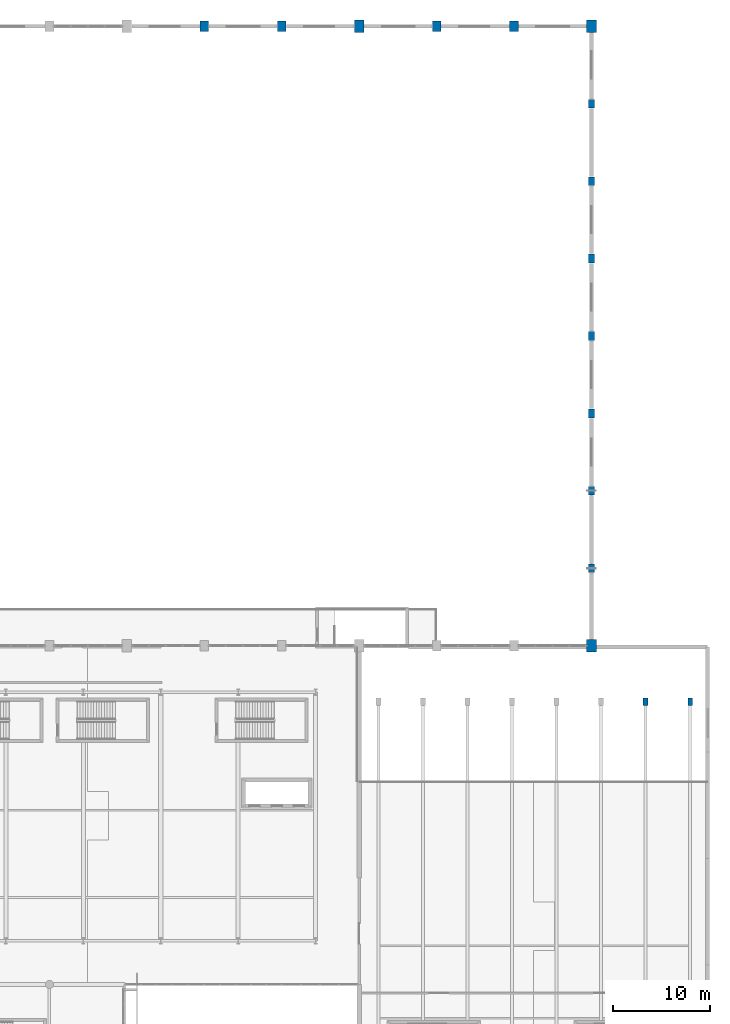
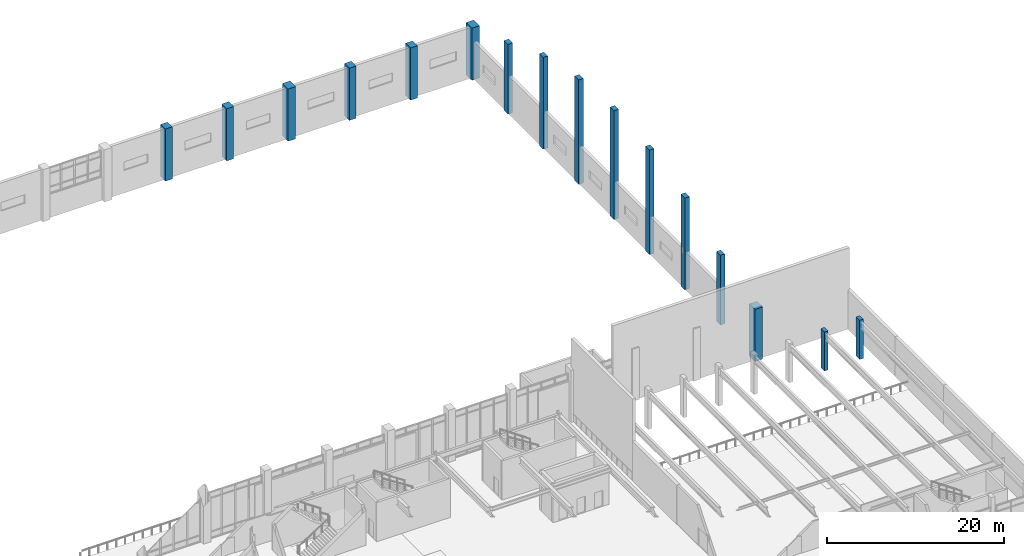
# One storey, part 8 of 84: 16 columns.
"""IFC4 building model written with IfcOpenShell, lengths in metres."""

import ifcopenshell
import ifcopenshell.guid

model = None  # the IFC model being written
_history = None  # IfcOwnerHistory: only IFC2X3 demands one
_inside = {}  # id of a spatial element -> (the spatial element, [elements in it])
_under = {}  # id of a project, library or spatial element -> (it, [spatial elements below it])
_declared = {}  # id of a project -> (the project, [libraries it declares])
_typed = {}  # id of a type object -> (the type object, [elements of that type])
_made_of = {}  # id of a material, layer set ... -> (it, [elements and type objects made of it])


def new_model(schema):
    """Start an empty IFC model of exactly this schema.

    Asked for "IFC4X3", IfcOpenShell would pick the latest addendum, in which some entities
    have other attributes; the version numbers below select the first issue.
    IFC2X3 requires an IfcOwnerHistory on every rooted entity: one is made here for all.
    """
    global model, _history
    if schema == "IFC4X3":
        model = ifcopenshell.file(schema_version=(4, 3, 0, 0))
    else:
        model = ifcopenshell.file(schema=schema)
    _inside.clear()
    _under.clear()
    _declared.clear()
    _typed.clear()
    _made_of.clear()
    _history = None
    if model.schema == "IFC2X3":
        org = make("IfcOrganization", Name="unknown")
        user = make(
            "IfcPersonAndOrganization",
            ThePerson=make("IfcPerson", FamilyName="unknown"),
            TheOrganization=org,
        )
        app = make(
            "IfcApplication",
            ApplicationDeveloper=org,
            Version="unknown",
            ApplicationFullName="unknown",
            ApplicationIdentifier="unknown",
        )
        _history = make(
            "IfcOwnerHistory",
            OwningUser=user,
            OwningApplication=app,
            ChangeAction="ADDED",
            CreationDate=0,
        )
    return model


def make(cls, **values):
    """One entity of the class cls with the attributes given. An attribute that is None is left unset."""
    return model.create_entity(
        cls, **{name: value for name, value in values.items() if value is not None}
    )


def rooted(cls, **values):
    """An entity with a GlobalId (a new one), such as an element, a storey or a relation."""
    return make(cls, GlobalId=ifcopenshell.guid.new(), OwnerHistory=_history, **values)


def si_unit(unit_type, name, prefix=None):
    """IfcSIUnit, for example si_unit("LENGTHUNIT", "METRE", prefix="MILLI")."""
    return make("IfcSIUnit", UnitType=unit_type, Prefix=prefix, Name=name)


def assignment(units):
    """IfcUnitAssignment: the units of a project."""
    return None if units is None else make("IfcUnitAssignment", Units=units)


def point(xyz):
    """IfcCartesianPoint."""
    return None if xyz is None else make("IfcCartesianPoint", Coordinates=xyz)


def direction(xyz):
    """IfcDirection."""
    return None if xyz is None else make("IfcDirection", DirectionRatios=xyz)


def frame(location, z_axis=None, x_axis=None):
    """IfcAxis2Placement3D, a coordinate frame: its origin and axes. An axis left out is left unset."""
    return make(
        "IfcAxis2Placement3D",
        Location=point(location),
        Axis=direction(z_axis),
        RefDirection=direction(x_axis),
    )


def frame_2d(location, x_axis=None):
    """IfcAxis2Placement2D, a coordinate frame in the plane: its origin and x axis."""
    return make(
        "IfcAxis2Placement2D", Location=point(location), RefDirection=direction(x_axis)
    )


def origin():
    """The frame at (0, 0, 0) with its axes left unset."""
    return frame((0.0, 0.0, 0.0))


def origin_2d():
    """The frame at (0, 0) in the plane with its x axis left unset."""
    return frame_2d((0.0, 0.0))


def place(relative_to, where):
    """IfcLocalPlacement: puts the frame where relative to a parent placement (None: the world)."""
    return make(
        "IfcLocalPlacement", PlacementRelTo=relative_to, RelativePlacement=where
    )


def context(
    kind, dimensions, precision=None, world=None, true_north=None, identifier=None
):
    """IfcGeometricRepresentationContext, for example the 3D "Model" context."""
    return make(
        "IfcGeometricRepresentationContext",
        ContextIdentifier=identifier,
        ContextType=kind,
        CoordinateSpaceDimension=dimensions,
        Precision=precision,
        WorldCoordinateSystem=world,
        TrueNorth=true_north,
    )


def subcontext(parent, identifier, kind, view, scale=None):
    """IfcGeometricRepresentationSubContext, for example "Body" below "Model"."""
    return make(
        "IfcGeometricRepresentationSubContext",
        ContextIdentifier=identifier,
        ContextType=kind,
        ParentContext=parent,
        TargetScale=scale,
        TargetView=view,
    )


def project(units=None, contexts=None):
    """IfcProject with its units and contexts."""
    return rooted(
        "IfcProject",
        Name="project",
        RepresentationContexts=contexts,
        UnitsInContext=assignment(units),
    )


def spatial(cls, under=None, at=None, **own):
    """A site, building, storey or space (cls), placed at a placement, below another one or the project."""
    s = rooted(cls, ObjectPlacement=at, **own)
    if under is not None:
        _under.setdefault(under.id(), (under, []))[1].append(s)
    return s


def profile(cls, at=None, kind="AREA", **sizes):
    """A parametric profile (cls). Its sizes go by their IFC names, for example OverallWidth=200.0."""
    return make(cls, ProfileType=kind, Position=at, **sizes)


def rectangle(**sizes):
    """IfcRectangleProfileDef."""
    return profile("IfcRectangleProfileDef", **sizes)


def extrude(swept, where, along, depth):
    """IfcExtrudedAreaSolid: the profile swept, set in the frame where, extruded along a direction by depth."""
    return make(
        "IfcExtrudedAreaSolid",
        SweptArea=swept,
        Position=where,
        ExtrudedDirection=direction(along),
        Depth=depth,
    )


def shape(context_of_items, identifier, shape_type, items):
    """IfcShapeRepresentation: the items that make up one representation, for example the "Body"."""
    return make(
        "IfcShapeRepresentation",
        ContextOfItems=context_of_items,
        RepresentationIdentifier=identifier,
        RepresentationType=shape_type,
        Items=items,
    )


def material(Name=None, Category=None):
    """IfcMaterial."""
    return make("IfcMaterial", Name=Name, Category=Category)


def material_profile(
    of_material, cross_section, Name=None, Category=None, Priority=None
):
    """IfcMaterialProfile: a cross section and its material."""
    return make(
        "IfcMaterialProfile",
        Name=Name,
        Material=of_material,
        Profile=cross_section,
        Priority=Priority,
        Category=Category,
    )


def profile_set(profiles, Name=None, composite=None):
    """IfcMaterialProfileSet."""
    return make(
        "IfcMaterialProfileSet",
        Name=Name,
        MaterialProfiles=profiles,
        CompositeProfile=composite,
    )


def made_of(thing, what):
    """Note that an element or type object is made of a material, layer set ...; save() writes the relation."""
    if what is not None:
        _made_of.setdefault(what.id(), (what, []))[1].append(thing)
    return thing


def type_object(cls, material=None, **own):
    """A type object (cls), such as IfcWallType, which elements share."""
    return made_of(rooted(cls, **own), material)


def element(
    cls,
    number,
    at=None,
    inside=None,
    cuts=None,
    type_object=None,
    material=None,
    context=None,
    identifier="Body",
    shape_type=None,
    held_by="IfcProductDefinitionShape",
    body=None,
    shapes=None,
    **own,
):
    """One element of the class cls, such as IfcWall. Its Tag is "e" and its number.

    at: its placement. inside: the storey or other place that contains it. cuts: it is an
    opening in that element (IfcRelVoidsElement). A single representation is given by context,
    identifier, shape_type and body (its items); several are given by shapes. held_by: the class
    of the entity that holds the representations. save() writes the other relations.
    """
    e = rooted(cls, Tag="e%d" % number, ObjectPlacement=at, **own)
    if body is not None:
        shapes = [shape(context, identifier, shape_type, body)]
    if shapes is not None:
        e.Representation = make(held_by, Representations=shapes)
    if inside is not None:
        _inside.setdefault(inside.id(), (inside, []))[1].append(e)
    if cuts is not None:
        rooted(
            "IfcRelVoidsElement", RelatingBuildingElement=cuts, RelatedOpeningElement=e
        )
    if type_object is not None:
        _typed.setdefault(type_object.id(), (type_object, []))[1].append(e)
    return made_of(e, material)


def aggregate(whole, parts):
    """IfcRelAggregates: a whole, such as a stair, and the parts it consists of."""
    return rooted("IfcRelAggregates", RelatingObject=whole, RelatedObjects=parts)


def save(model, path):
    """Write the relations noted so far, then the file.

    IfcRelAggregates (storeys below a building ...), IfcRelContainedInSpatialStructure (elements
    in a storey), IfcRelDefinesByType, IfcRelAssociatesMaterial and IfcRelDeclares: one each for
    every whole, place, type object, material and project.
    """
    for whole, parts in _under.values():
        aggregate(whole, parts)
    for where, things in _inside.values():
        rooted(
            "IfcRelContainedInSpatialStructure",
            RelatedElements=things,
            RelatingStructure=where,
        )
    for kind, things in _typed.values():
        rooted("IfcRelDefinesByType", RelatedObjects=things, RelatingType=kind)
    for what, things in _made_of.values():
        rooted("IfcRelAssociatesMaterial", RelatedObjects=things, RelatingMaterial=what)
    for by, libraries in _declared.values():
        rooted("IfcRelDeclares", RelatingContext=by, RelatedDefinitions=libraries)
    model.write(path)


model = new_model("IFC4")

# Units and contexts
model_context = context("Model", 3, precision=1e-05, world=origin(), true_north=direction((0.0, 1.0)))
body_context = subcontext(model_context, "Body", "Model", "MODEL_VIEW")
ifc_project = project(units=[si_unit("LENGTHUNIT", "METRE"), si_unit("AREAUNIT", "SQUARE_METRE"), si_unit("VOLUMEUNIT", "CUBIC_METRE"), si_unit("PLANEANGLEUNIT", "RADIAN"), si_unit("MASSUNIT", "GRAM", prefix="KILO")], contexts=[model_context])

# Site, building, storey
site_placement = place(None, origin())
site = spatial("IfcSite", under=ifc_project, at=site_placement, CompositionType="ELEMENT")
building_placement = place(site_placement, origin())
building = spatial("IfcBuilding", under=site, at=building_placement, Name="Tlacozan Convention Centre", CompositionType="ELEMENT")
storey_placement = place(building_placement, frame((0.0, 0.0, 6.0)))
storey = spatial("IfcBuildingStorey", under=building, at=storey_placement, Name="L01", CompositionType="ELEMENT", Elevation=6.0)

# Columns
ifc_material = material(Name="Concrete C40/50", Category="concrete")
ifc_material_profile_1 = material_profile(ifc_material, rectangle(XDim=0.89990234375, YDim=1.10009765625, at=origin_2d()), Name="RC 900x1100")
ifc_profile_set_1 = profile_set([ifc_material_profile_1], Name="Concrete C40/50")
column_type_1 = type_object("IfcColumnType", Name="Column Buttress RC 900x1100", PredefinedType="COLUMN", material=ifc_profile_set_1)
for number, where, z_axis, x_axis, name in (
    (1, (128.0, 126.0, 0.0), (0.0, 0.0, 1.0), (1.0, 0.0, 0.0), "L01 Column 672"),
    (2, (136.0, 126.0, 0.0), (0.0, 0.0, 1.0), (1.0, 0.0, 0.0), "L01 Column 695"),
    (3, (152.0, 126.0, 0.0), (0.0, 0.0, 1.0), (1.0, 0.0, 0.0), "L01 Column 755"),
    (4, (160.0, 126.0, 0.0), (0.0, 0.0, 1.0), (1.0, 0.0, 0.0), "L01 Column 790"),
):
    element("IfcColumn", number, at=place(storey_placement, frame(where, z_axis=z_axis, x_axis=x_axis)), inside=storey, type_object=column_type_1, Name=name, PredefinedType="COLUMN", context=body_context, shape_type="SweptSolid", body=[
        extrude(rectangle(XDim=0.89990234375, YDim=1.10009765625, at=origin_2d()), origin(), (0.0, 0.0, 1.0), 7.199951171875),
    ])
ifc_material_profile_2 = material_profile(ifc_material, rectangle(XDim=1.0, YDim=1.300048828125, at=origin_2d()), Name="RC 1000x1300")
ifc_profile_set_2 = profile_set([ifc_material_profile_2], Name="Concrete C40/50")
column_type_2 = type_object("IfcColumnType", Name="Column Mega Buttress RC 1000x1300", PredefinedType="COLUMN", material=ifc_profile_set_2)
for number, where, z_axis, x_axis, name in (
    (5, (144.0, 126.0, 0.0), (0.0, 0.0, 1.0), (1.0, 0.0, 0.0), "L01 Column 720"),
    (6, (168.0, 62.0, 0.0), (0.0, 0.0, 1.0), (1.0, 0.0, 0.0), "L01 Column 804"),
    (7, (168.0, 126.0, 0.0), (0.0, 0.0, 1.0), (1.0, 0.0, 0.0), "L01 Column 828"),
):
    element("IfcColumn", number, at=place(storey_placement, frame(where, z_axis=z_axis, x_axis=x_axis)), inside=storey, type_object=column_type_2, Name=name, PredefinedType="COLUMN", context=body_context, shape_type="SweptSolid", body=[
        extrude(rectangle(XDim=1.0, YDim=1.300048828125, at=origin_2d()), origin(), (0.0, 0.0, 1.0), 7.199951171875),
    ])
ifc_material_profile_3 = material_profile(ifc_material, rectangle(XDim=0.5, YDim=0.800048828125, at=origin_2d()), Name="RC 500x800")
ifc_profile_set_3 = profile_set([ifc_material_profile_3], Name="Concrete C40/50")
column_type_3 = type_object("IfcColumnType", Name="Pilaster Cantera RC 500x800", PredefinedType="PILASTER", material=ifc_profile_set_3)
for number, where, z_axis, x_axis, name in (
    (8, (173.60009765625, 56.199951171875, 0.0), (0.0, 0.0, 1.0), (1.0, 0.0, 0.0), "L01 Column 849"),
    (9, (178.199951171875, 56.199951171875, 0.0), (0.0, 0.0, 1.0), (1.0, 0.0, 0.0), "L01 Column 860"),
):
    element("IfcColumn", number, at=place(storey_placement, frame(where, z_axis=z_axis, x_axis=x_axis)), inside=storey, type_object=column_type_3, Name=name, PredefinedType="PILASTER", context=body_context, shape_type="SweptSolid", body=[
        extrude(rectangle(XDim=0.5, YDim=0.800048828125, at=origin_2d()), origin(), (0.0, 0.0, 1.0), 5.39990234375),
    ])
ifc_material_profile_4 = material_profile(ifc_material, rectangle(XDim=0.60009765625, YDim=0.89990234375, at=origin_2d()), Name="RC 600x900")
ifc_profile_set_4 = profile_set([ifc_material_profile_4], Name="Concrete C40/50")
column_type_4 = type_object("IfcColumnType", Name="Pilaster Facade RC 600x900", PredefinedType="PILASTER", material=ifc_profile_set_4)
column_1_placement = place(storey_placement, frame((168.0, 70.0, 0.0), z_axis=(0.0, 0.0, 1.0), x_axis=(1.0, 0.0, 0.0)))
element("IfcColumn", 10, at=column_1_placement, inside=storey, type_object=column_type_4, Name="L01 Column 807", PredefinedType="PILASTER", context=body_context, shape_type="SweptSolid", body=[
    extrude(rectangle(XDim=0.60009765625, YDim=0.89990234375, at=origin_2d()), origin(), (0.0, 0.0, 1.0), 9.617919921875),
])
column_2_placement = place(storey_placement, frame((168.0, 78.0, 0.0), z_axis=(0.0, 0.0, 1.0), x_axis=(1.0, 0.0, 0.0)))
element("IfcColumn", 11, at=column_2_placement, inside=storey, type_object=column_type_4, Name="L01 Column 810", PredefinedType="PILASTER", context=body_context, shape_type="SweptSolid", body=[
    extrude(rectangle(XDim=0.60009765625, YDim=0.89990234375, at=origin_2d()), origin(), (0.0, 0.0, 1.0), 12.674072265625),
])
column_3_placement = place(storey_placement, frame((168.0, 86.0, 0.0), z_axis=(0.0, 0.0, 1.0), x_axis=(1.0, 0.0, 0.0)))
element("IfcColumn", 12, at=column_3_placement, inside=storey, type_object=column_type_4, Name="L01 Column 813", PredefinedType="PILASTER", context=body_context, shape_type="SweptSolid", body=[
    extrude(rectangle(XDim=0.60009765625, YDim=0.89990234375, at=origin_2d()), origin(), (0.0, 0.0, 1.0), 14.427978515625),
])
column_4_placement = place(storey_placement, frame((168.0, 94.0, 0.0), z_axis=(0.0, 0.0, 1.0), x_axis=(1.0, 0.0, 0.0)))
element("IfcColumn", 13, at=column_4_placement, inside=storey, type_object=column_type_4, Name="L01 Column 816", PredefinedType="PILASTER", context=body_context, shape_type="SweptSolid", body=[
    extrude(rectangle(XDim=0.60009765625, YDim=0.89990234375, at=origin_2d()), origin(), (0.0, 0.0, 1.0), 15.0),
])
column_5_placement = place(storey_placement, frame((168.0, 102.0, 0.0), z_axis=(0.0, 0.0, 1.0), x_axis=(1.0, 0.0, 0.0)))
element("IfcColumn", 14, at=column_5_placement, inside=storey, type_object=column_type_4, Name="L01 Column 819", PredefinedType="PILASTER", context=body_context, shape_type="SweptSolid", body=[
    extrude(rectangle(XDim=0.60009765625, YDim=0.89990234375, at=origin_2d()), origin(), (0.0, 0.0, 1.0), 14.427978515625),
])
column_6_placement = place(storey_placement, frame((168.0, 110.0, 0.0), z_axis=(0.0, 0.0, 1.0), x_axis=(1.0, 0.0, 0.0)))
element("IfcColumn", 15, at=column_6_placement, inside=storey, type_object=column_type_4, Name="L01 Column 822", PredefinedType="PILASTER", context=body_context, shape_type="SweptSolid", body=[
    extrude(rectangle(XDim=0.60009765625, YDim=0.89990234375, at=origin_2d()), origin(), (0.0, 0.0, 1.0), 12.674072265625),
])
column_7_placement = place(storey_placement, frame((168.0, 118.0, 0.0), z_axis=(0.0, 0.0, 1.0), x_axis=(1.0, 0.0, 0.0)))
element("IfcColumn", 16, at=column_7_placement, inside=storey, type_object=column_type_4, Name="L01 Column 825", PredefinedType="PILASTER", context=body_context, shape_type="SweptSolid", body=[
    extrude(rectangle(XDim=0.60009765625, YDim=0.89990234375, at=origin_2d()), origin(), (0.0, 0.0, 1.0), 9.617919921875),
])

save(model, "model.ifc")
